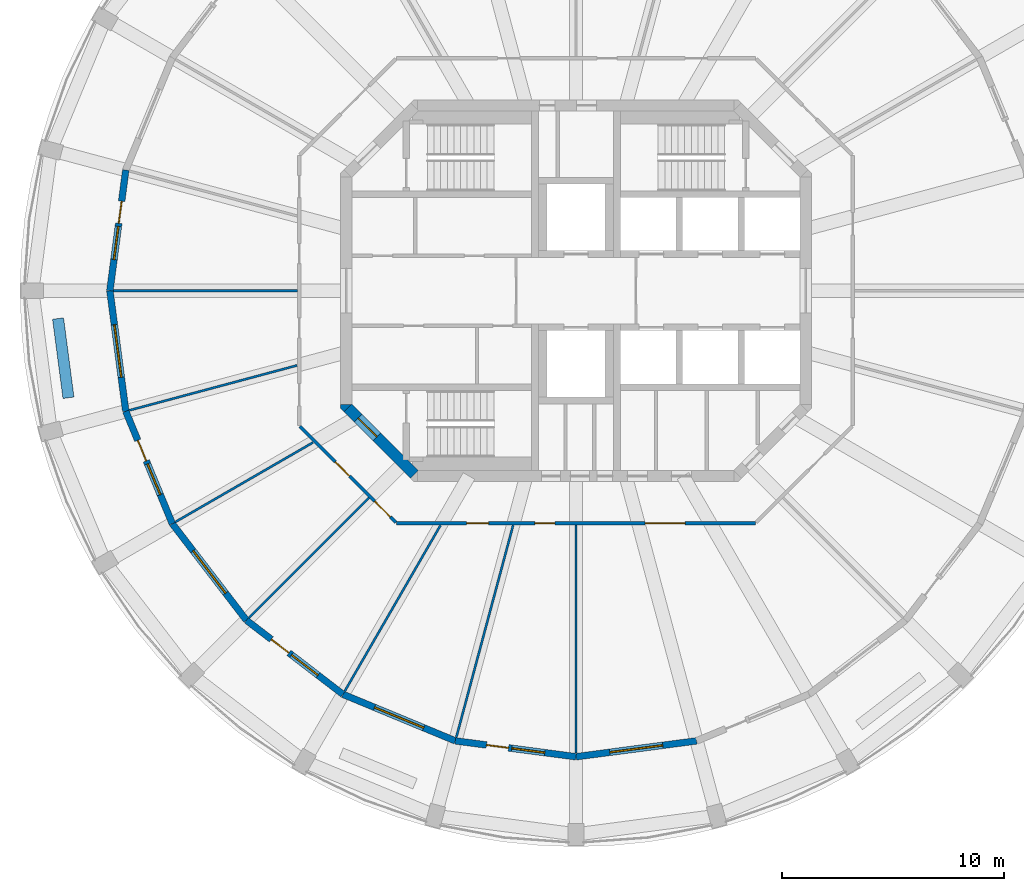
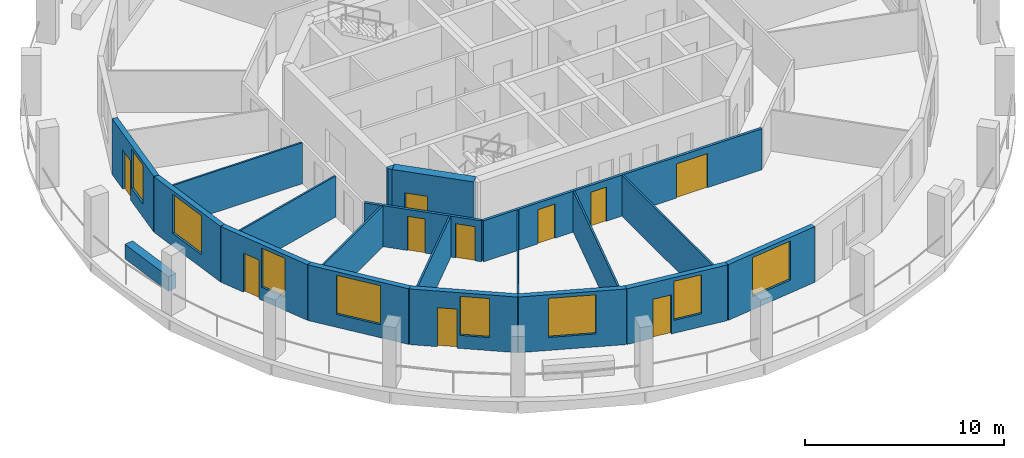
# One storey, part 2 of 9: 20 walls, 10 doors, 8 windows, 18 openings.
"""IFC4 building model written with IfcOpenShell, lengths in metres."""

from ifc_helpers import new_model, si_unit, direction, frame, frame_2d, origin, place, context, subcontext, project, spatial, polyline, rectangle, outline, extrude, material, layer, layer_set, type_object, element, fill, save


model = new_model("IFC4")

# Units and contexts
model_context = context("Model", 3, precision=1e-05, world=origin(), true_north=direction((0.0, 1.0)))
body_context = subcontext(model_context, "Body", "Model", "MODEL_VIEW")
ifc_project = project(units=[si_unit("LENGTHUNIT", "METRE"), si_unit("AREAUNIT", "SQUARE_METRE"), si_unit("VOLUMEUNIT", "CUBIC_METRE"), si_unit("PLANEANGLEUNIT", "RADIAN"), si_unit("MASSUNIT", "GRAM", prefix="KILO")], contexts=[model_context])

# Site, building, storey
site_placement = place(None, origin())
site = spatial("IfcSite", under=ifc_project, at=site_placement, CompositionType="ELEMENT")
building_placement = place(site_placement, origin())
building = spatial("IfcBuilding", under=site, at=building_placement, Name="Torre Triforio", CompositionType="ELEMENT")
storey_placement = place(building_placement, frame((0.0, 0.0, 272.300048828125)))
storey = spatial("IfcBuildingStorey", under=building, at=storey_placement, Name="L63", CompositionType="ELEMENT", Elevation=272.300048828125)

# Wall, opening, door
ifc_material_1 = material(Name="Concrete C40", Category="concrete")
ifc_layer_1 = layer(ifc_material_1, 0.5)
ifc_layer_set_1 = layer_set([ifc_layer_1], Name="Concrete C40")
wall_type_1 = type_object("IfcWallType", Name="Core wall 500 mm C40 EI 120", PredefinedType="SHEAR", material=ifc_layer_set_1)
wall_1_placement = place(storey_placement, frame((-7.27685546875, -8.27685546875, -0.280029296875), z_axis=(0.0, 0.0, 1.0), x_axis=(-0.707106781187, 0.707106781187, 0.0)))
wall_1 = element("IfcWall", 1, at=wall_1_placement, inside=storey, type_object=wall_type_1, Name="Core wall", PredefinedType="SHEAR", context=body_context, shape_type="SweptSolid", body=[
    extrude(rectangle(XDim=4.24267578125, YDim=0.5, at=frame_2d((2.121337890625, 0.0))), origin(), (0.0, 0.0, 1.0), 3.699951171875),
])
opening_1_placement = place(wall_1_placement, frame((2.392578125, 0.0, 0.280029296875)))
opening_1 = element("IfcOpeningElement", 2, at=opening_1_placement, cuts=wall_1, Name="Opening ST3-EXIT", PredefinedType="OPENING", context=body_context, shape_type="SweptSolid", body=[
    extrude(rectangle(XDim=1.199951171875, YDim=2.10009765625, at=frame_2d((0.60009765625, 1.050048828125))), frame((0.0, 0.260009765625, 0.0), z_axis=(0.0, -1.0, 0.0), x_axis=(1.0, 0.0, 0.0)), (0.0, 0.0, 1.0), 0.52001953125),
])
ifc_material_2 = material(Name="Hollow metal fire door leaf")
door_type_1 = type_object("IfcDoorType", Name="Stair lobby door 1200 x 2100 EI 60", OperationType="NOTDEFINED", PredefinedType="DOOR", material=ifc_material_2)
door_1_placement = place(opening_1_placement, origin())
door_1 = element("IfcDoor", 3, at=door_1_placement, inside=storey, type_object=door_type_1, Name="Core door ST3-EXIT", OperationType="SINGLE_SWING_RIGHT", OverallHeight=2.10009765625, OverallWidth=1.199951171875, PredefinedType="DOOR", context=body_context, shape_type="SweptSolid", body=[
    extrude(rectangle(XDim=1.199951171875, YDim=2.10009765625, at=frame_2d((0.60009765625, 1.050048828125))), frame((0.0, 0.02490234375, 0.0), z_axis=(0.0, -1.0, 0.0), x_axis=(1.0, 0.0, 0.0)), (0.0, 0.0, 1.0), 0.050048828125),
])
fill(opening_1, door_1)

# Wall
wall_2_placement = place(storey_placement, frame((0.0, 0.0, -0.280029296875)))
element("IfcWall", 4, at=wall_2_placement, inside=storey, type_object=wall_type_1, Name="Core wall", PredefinedType="SHEAR", context=body_context, shape_type="SweptSolid", body=[
    extrude(outline(polyline([(-10.60009765625, -5.30712890625), (-10.60009765625, -5.1298828125), (-10.1298828125, -5.1298828125), (-10.45361328125, -5.45361328125), (-10.60009765625, -5.30712890625)])), origin(), (0.0, 0.0, 1.0), 3.699951171875),
])

# Wall, openings, doors
ifc_material_3 = material(Name="Plasterboard on metal studs")
ifc_layer_2 = layer(ifc_material_3, 0.14990234375)
ifc_layer_set_2 = layer_set([ifc_layer_2], Name="Plasterboard on metal studs")
wall_type_2 = type_object("IfcWallType", Name="Corridor and tenancy wall 150 mm EI 60", PredefinedType="PARTITIONING", material=ifc_layer_set_2)
wall_3_placement = place(storey_placement, frame((8.083740234375, -10.47509765625, 0.0), z_axis=(0.0, 0.0, 1.0), x_axis=(-1.0, 0.0, 0.0)))
wall_3 = element("IfcWall", 5, at=wall_3_placement, inside=storey, type_object=wall_type_2, Name="Partition 2", PredefinedType="PARTITIONING", context=body_context, shape_type="SweptSolid", body=[
    extrude(rectangle(XDim=16.16748046875, YDim=0.14990234375, at=frame_2d((8.083740234375, 0.0))), origin(), (0.0, 0.0, 1.0), 2.52001953125),
])
opening_2_placement = place(wall_3_placement, frame((12.014892578125, 0.0, 0.0)))
opening_2 = element("IfcOpeningElement", 6, at=opening_2_placement, cuts=wall_3, Name="Opening E2-02", PredefinedType="OPENING", context=body_context, shape_type="SweptSolid", body=[
    extrude(rectangle(XDim=1.0, YDim=2.10009765625, at=frame_2d((0.5, 1.050048828125))), frame((0.0, 0.0849609375, 0.0), z_axis=(0.0, -1.0, 0.0), x_axis=(1.0, 0.0, 0.0)), (0.0, 0.0, 1.0), 0.169921875),
])
opening_3_placement = place(wall_3_placement, frame((9.0380859375, 0.0, 0.0)))
opening_3 = element("IfcOpeningElement", 7, at=opening_3_placement, cuts=wall_3, Name="Opening E2-03", PredefinedType="OPENING", context=body_context, shape_type="SweptSolid", body=[
    extrude(rectangle(XDim=0.89990234375, YDim=2.10009765625, at=frame_2d((0.449951171875, 1.050048828125))), frame((0.0, 0.0849609375, 0.0), z_axis=(0.0, -1.0, 0.0), x_axis=(1.0, 0.0, 0.0)), (0.0, 0.0, 1.0), 0.169921875),
])
opening_4_placement = place(wall_3_placement, frame((3.1669921875, 0.0, 0.0)))
opening_4 = element("IfcOpeningElement", 8, at=opening_4_placement, cuts=wall_3, Name="Opening E2-04", PredefinedType="OPENING", context=body_context, shape_type="SweptSolid", body=[
    extrude(rectangle(XDim=1.800048828125, YDim=2.10009765625, at=frame_2d((0.89990234375, 1.050048828125))), frame((0.0, 0.0849609375, 0.0), z_axis=(0.0, -1.0, 0.0), x_axis=(1.0, 0.0, 0.0)), (0.0, 0.0, 1.0), 0.169921875),
])
ifc_material_4 = material(Name="Timber", Category="wood")
door_type_2 = type_object("IfcDoorType", Name="Door 1000 x 2100 single leaf EI 30", OperationType="NOTDEFINED", PredefinedType="DOOR", material=ifc_material_4)
door_2_placement = place(opening_2_placement, origin())
door_2 = element("IfcDoor", 9, at=door_2_placement, inside=storey, type_object=door_type_2, Name="Door E2-02", OperationType="SINGLE_SWING_LEFT", OverallHeight=2.10009765625, OverallWidth=1.0, PredefinedType="DOOR", context=body_context, shape_type="SweptSolid", body=[
    extrude(rectangle(XDim=1.0, YDim=2.10009765625, at=frame_2d((0.5, 1.050048828125))), frame((0.0, 0.02490234375, 0.0), z_axis=(0.0, -1.0, 0.0), x_axis=(1.0, 0.0, 0.0)), (0.0, 0.0, 1.0), 0.050048828125),
])
fill(opening_2, door_2)
door_type_3 = type_object("IfcDoorType", Name="Door 1800 x 2100 double leaf EI 30", OperationType="DOUBLE_DOOR_SINGLE_SWING", PredefinedType="DOOR", material=ifc_material_4)
door_3_placement = place(opening_4_placement, origin())
door_3 = element("IfcDoor", 10, at=door_3_placement, inside=storey, type_object=door_type_3, Name="Door E2-04", OperationType="DOUBLE_DOOR_SINGLE_SWING", OverallHeight=2.10009765625, OverallWidth=1.800048828125, PredefinedType="DOOR", context=body_context, shape_type="SweptSolid", body=[
    extrude(rectangle(XDim=1.800048828125, YDim=2.10009765625, at=frame_2d((0.89990234375, 1.050048828125))), frame((0.0, 0.02490234375, 0.0), z_axis=(0.0, -1.0, 0.0), x_axis=(1.0, 0.0, 0.0)), (0.0, 0.0, 1.0), 0.050048828125),
])
fill(opening_4, door_3)
door_type_4 = type_object("IfcDoorType", Name="Door 900 x 2100 single leaf EI 30", OperationType="NOTDEFINED", PredefinedType="DOOR", material=ifc_material_4)
door_4_placement = place(opening_3_placement, origin())
door_4 = element("IfcDoor", 11, at=door_4_placement, inside=storey, type_object=door_type_4, Name="Door E2-03", OperationType="SINGLE_SWING_LEFT", OverallHeight=2.10009765625, OverallWidth=0.89990234375, PredefinedType="DOOR", context=body_context, shape_type="SweptSolid", body=[
    extrude(rectangle(XDim=0.89990234375, YDim=2.10009765625, at=frame_2d((0.449951171875, 1.050048828125))), frame((0.0, 0.02490234375, 0.0), z_axis=(0.0, -1.0, 0.0), x_axis=(1.0, 0.0, 0.0)), (0.0, 0.0, 1.0), 0.050048828125),
])
fill(opening_3, door_4)

wall_4_placement = place(storey_placement, frame((-8.120849609375, -10.43798828125, 0.0), z_axis=(0.0, 0.0, 1.0), x_axis=(-0.707106781187, 0.707106781187, 0.0)))
wall_4 = element("IfcWall", 12, at=wall_4_placement, inside=storey, type_object=wall_type_2, Name="Partition 3", PredefinedType="PARTITIONING", context=body_context, shape_type="SweptSolid", body=[
    extrude(rectangle(XDim=6.10546875, YDim=0.14990234375, at=frame_2d((3.052734375, 0.0))), origin(), (0.0, 0.0, 1.0), 2.52001953125),
])
opening_5_placement = place(wall_4_placement, frame((0.34423828125, 0.0, 0.0)))
opening_5 = element("IfcOpeningElement", 13, at=opening_5_placement, cuts=wall_4, Name="Opening E2-01", PredefinedType="OPENING", context=body_context, shape_type="SweptSolid", body=[
    extrude(rectangle(XDim=1.0, YDim=2.10009765625, at=frame_2d((0.5, 1.050048828125))), frame((0.0, 0.0849609375, 0.0), z_axis=(0.0, -1.0, 0.0), x_axis=(1.0, 0.0, 0.0)), (0.0, 0.0, 1.0), 0.169921875),
])
opening_6_placement = place(wall_4_placement, frame((2.947509765625, 0.0, 0.0)))
opening_6 = element("IfcOpeningElement", 14, at=opening_6_placement, cuts=wall_4, Name="Opening E2-17", PredefinedType="OPENING", context=body_context, shape_type="SweptSolid", body=[
    extrude(rectangle(XDim=0.89990234375, YDim=2.10009765625, at=frame_2d((0.449951171875, 1.050048828125))), frame((0.0, 0.0849609375, 0.0), z_axis=(0.0, -1.0, 0.0), x_axis=(1.0, 0.0, 0.0)), (0.0, 0.0, 1.0), 0.169921875),
])
door_5_placement = place(opening_5_placement, origin())
door_5 = element("IfcDoor", 15, at=door_5_placement, inside=storey, type_object=door_type_2, Name="Door E2-01", OperationType="SINGLE_SWING_LEFT", OverallHeight=2.10009765625, OverallWidth=1.0, PredefinedType="DOOR", context=body_context, shape_type="SweptSolid", body=[
    extrude(rectangle(XDim=1.0, YDim=2.10009765625, at=frame_2d((0.5, 1.050048828125))), frame((0.0, 0.02490234375, 0.0), z_axis=(0.0, -1.0, 0.0), x_axis=(1.0, 0.0, 0.0)), (0.0, 0.0, 1.0), 0.050048828125),
])
fill(opening_5, door_5)
door_6_placement = place(opening_6_placement, origin())
door_6 = element("IfcDoor", 16, at=door_6_placement, inside=storey, type_object=door_type_4, Name="Door E2-17", OperationType="SINGLE_SWING_LEFT", OverallHeight=2.10009765625, OverallWidth=0.89990234375, PredefinedType="DOOR", context=body_context, shape_type="SweptSolid", body=[
    extrude(rectangle(XDim=0.89990234375, YDim=2.10009765625, at=frame_2d((0.449951171875, 1.050048828125))), frame((0.0, 0.02490234375, 0.0), z_axis=(0.0, -1.0, 0.0), x_axis=(1.0, 0.0, 0.0)), (0.0, 0.0, 1.0), 0.050048828125),
])
fill(opening_6, door_6)

# Walls
ifc_layer_3 = layer(ifc_material_3, 0.10009765625)
ifc_layer_set_3 = layer_set([ifc_layer_3], Name="Plasterboard on metal studs")
wall_type_3 = type_object("IfcWallType", Name="Partition 100 mm board on metal studs", PredefinedType="PARTITIONING", material=ifc_layer_set_3)
wall_5_placement = place(storey_placement, frame((-12.550048828125, 0.0, 0.0), z_axis=(0.0, 0.0, 1.0), x_axis=(-1.0, 0.0, 0.0)))
element("IfcWall", 17, at=wall_5_placement, inside=storey, type_object=wall_type_3, Name="Partition 17", PredefinedType="PARTITIONING", context=body_context, shape_type="SweptSolid", body=[
    extrude(rectangle(XDim=8.28662109375, YDim=0.10009765625, at=frame_2d((4.143310546875, 0.0))), origin(), (0.0, 0.0, 1.0), 2.52001953125),
])
wall_6_placement = place(storey_placement, frame((-12.564208984375, -3.36669921875, 0.0), z_axis=(0.0, 0.0, 1.0), x_axis=(-0.965933576344, -0.258790119773, 0.0)))
element("IfcWall", 18, at=wall_6_placement, inside=storey, type_object=wall_type_3, Name="Partition 18", PredefinedType="PARTITIONING", context=body_context, shape_type="SweptSolid", body=[
    extrude(rectangle(XDim=7.8291015625, YDim=0.10009765625, at=frame_2d((3.91455078125, 0.0))), origin(), (0.0, 0.0, 1.0), 2.52001953125),
])
wall_7_placement = place(storey_placement, frame((-11.845947265625, -6.839111328125, 0.0), z_axis=(0.0, 0.0, 1.0), x_axis=(-0.866011787705, -0.500023583, 0.0)))
element("IfcWall", 19, at=wall_7_placement, inside=storey, type_object=wall_type_3, Name="Partition 19", PredefinedType="PARTITIONING", context=body_context, shape_type="SweptSolid", body=[
    extrude(rectangle(XDim=7.158447265625, YDim=0.10009765625, at=frame_2d((3.5791015625, 0.0))), origin(), (0.0, 0.0, 1.0), 2.52001953125),
])
wall_8_placement = place(storey_placement, frame((-9.33251953125, -9.33251953125, 0.0), z_axis=(0.0, 0.0, 1.0), x_axis=(-0.707106781187, -0.707106781187, 0.0)))
element("IfcWall", 20, at=wall_8_placement, inside=storey, type_object=wall_type_3, Name="Partition 20", PredefinedType="PARTITIONING", context=body_context, shape_type="SweptSolid", body=[
    extrude(rectangle(XDim=7.638671875, YDim=0.10009765625, at=frame_2d((3.8193359375, 0.0))), origin(), (0.0, 0.0, 1.0), 2.52001953125),
])
wall_9_placement = place(storey_placement, frame((-6.105224609375, -10.57470703125, 0.0), z_axis=(0.0, 0.0, 1.0), x_axis=(-0.50001399067, -0.866017326117, 0.0)))
element("IfcWall", 21, at=wall_9_placement, inside=storey, type_object=wall_type_3, Name="Partition 21", PredefinedType="PARTITIONING", context=body_context, shape_type="SweptSolid", body=[
    extrude(rectangle(XDim=8.626220703125, YDim=0.10009765625, at=frame_2d((4.31298828125, 0.0))), origin(), (0.0, 0.0, 1.0), 2.52001953125),
])
wall_10_placement = place(storey_placement, frame((-2.830810546875, -10.564208984375, 0.0), z_axis=(0.0, 0.0, 1.0), x_axis=(-0.258795254151, -0.965932200741, 0.0)))
element("IfcWall", 22, at=wall_10_placement, inside=storey, type_object=wall_type_3, Name="Partition 22", PredefinedType="PARTITIONING", context=body_context, shape_type="SweptSolid", body=[
    extrude(rectangle(XDim=9.899658203125, YDim=0.10009765625, at=frame_2d((4.94970703125, 0.0))), origin(), (0.0, 0.0, 1.0), 2.52001953125),
])
wall_11_placement = place(storey_placement, frame((0.0, -10.550048828125, 0.0), z_axis=(0.0, 0.0, 1.0), x_axis=(0.0, -1.0, 0.0)))
element("IfcWall", 23, at=wall_11_placement, inside=storey, type_object=wall_type_3, Name="Partition 23", PredefinedType="PARTITIONING", context=body_context, shape_type="SweptSolid", body=[
    extrude(rectangle(XDim=10.28662109375, YDim=0.10009765625, at=frame_2d((5.143310546875, 0.0))), origin(), (0.0, 0.0, 1.0), 2.52001953125),
])
ifc_material_5 = material(Name="Limestone cladding", Category="masonry")
ifc_layer_4 = layer(ifc_material_5, 0.10009765625)
ifc_layer_5 = layer(ifc_material_1, 0.39990234375)
ifc_layer_set_4 = layer_set([ifc_layer_4, ifc_layer_5], Name="Limestone cladding / Concrete C40")
wall_type_4 = type_object("IfcWallType", Name="Planter wall 500", PredefinedType="PARAPET", material=ifc_layer_set_4)
wall_12_placement = place(storey_placement, frame((-23.335693359375, -1.256591796875, 0.0), z_axis=(0.0, 0.0, 1.0), x_axis=(0.130542222659, -0.991442750795, 0.0)))
element("IfcWall", 24, at=wall_12_placement, inside=storey, type_object=wall_type_4, Name="Planter L63 bay 13", PredefinedType="PARAPET", context=body_context, shape_type="SweptSolid", body=[
    extrude(rectangle(XDim=3.60009765625, YDim=0.5, at=frame_2d((1.800048828125, 0.0))), origin(), (0.0, 0.0, 1.0), 0.89990234375),
])

# Wall, openings, door, window
ifc_layer_6 = layer(ifc_material_5, 0.10009765625)
ifc_layer_7 = layer(ifc_material_1, 0.199951171875)
ifc_layer_set_5 = layer_set([ifc_layer_6, ifc_layer_7], Name="Limestone cladding / Concrete C40")
wall_type_5 = type_object("IfcWallType", Name="Stone-faced composite wall 300", PredefinedType="STANDARD", material=ifc_layer_set_5)
wall_13_placement = place(storey_placement, frame((-20.284423828125, 5.435302734375, 0.0), z_axis=(0.0, 0.0, 1.0), x_axis=(-0.130527087244, -0.991444743541, 0.0)))
wall_13 = element("IfcWall", 25, at=wall_13_placement, inside=storey, type_object=wall_type_5, Name="External wall L63 bay 12", PredefinedType="STANDARD", context=body_context, shape_type="SweptSolid", body=[
    extrude(rectangle(XDim=5.482177734375, YDim=0.300048828125, at=frame_2d((2.7412109375, 0.0))), origin(), (0.0, 0.0, 1.0), 3.419921875),
])
opening_7_placement = place(wall_13_placement, frame((1.416015625, 0.0, 0.0)))
opening_7 = element("IfcOpeningElement", 26, at=opening_7_placement, cuts=wall_13, Name="Opening E2-D12", PredefinedType="OPENING", context=body_context, shape_type="SweptSolid", body=[
    extrude(rectangle(XDim=1.0, YDim=2.39990234375, at=frame_2d((0.5, 1.199951171875))), frame((0.0, 0.159912109375, 0.0), z_axis=(0.0, -1.0, 0.0), x_axis=(1.0, 0.0, 0.0)), (0.0, 0.0, 1.0), 0.320068359375),
])
opening_8_placement = place(wall_13_placement, frame((2.566162109375, 0.0, 0.800048828125)))
opening_8 = element("IfcOpeningElement", 27, at=opening_8_placement, cuts=wall_13, Name="Opening E2-W12A", PredefinedType="OPENING", context=body_context, shape_type="SweptSolid", body=[
    extrude(rectangle(XDim=1.5, YDim=2.39990234375, at=frame_2d((0.75, 1.199951171875))), frame((0.0, 0.159912109375, 0.0), z_axis=(0.0, -1.0, 0.0), x_axis=(1.0, 0.0, 0.0)), (0.0, 0.0, 1.0), 0.320068359375),
])
ifc_material_6 = material(Name="Aluminium frame with clear double glazing", Category="aluminium")
door_type_5 = type_object("IfcDoorType", Name="Loggia door 1000 x 2400", OperationType="NOTDEFINED", PredefinedType="DOOR", material=ifc_material_6)
door_7_placement = place(opening_7_placement, origin())
door_7 = element("IfcDoor", 28, at=door_7_placement, inside=storey, type_object=door_type_5, Name="Loggia door L63 bay 12", OperationType="SINGLE_SWING_LEFT", OverallHeight=2.39990234375, OverallWidth=1.0, PredefinedType="DOOR", context=body_context, shape_type="SweptSolid", body=[
    extrude(rectangle(XDim=1.0, YDim=2.39990234375, at=frame_2d((0.5, 1.199951171875))), frame((0.0, 0.02490234375, 0.0), z_axis=(0.0, -1.0, 0.0), x_axis=(1.0, 0.0, 0.0)), (0.0, 0.0, 1.0), 0.050048828125),
])
fill(opening_7, door_7)
window_type_1 = type_object("IfcWindowType", Name="Side window 1500 x 2400", PartitioningType="SINGLE_PANEL", PredefinedType="WINDOW", material=ifc_material_6)
window_1_placement = place(opening_8_placement, origin())
window_1 = element("IfcWindow", 29, at=window_1_placement, inside=storey, type_object=window_type_1, Name="Side window EWN14 L63 bay 12", OverallHeight=2.39990234375, OverallWidth=1.5, PartitioningType="SINGLE_PANEL", PredefinedType="WINDOW", context=body_context, shape_type="SweptSolid", body=[
    extrude(rectangle(XDim=1.5, YDim=2.39990234375, at=frame_2d((0.75, 1.199951171875))), frame((0.0, 0.030029296875, 0.0), z_axis=(0.0, -1.0, 0.0), x_axis=(1.0, 0.0, 0.0)), (0.0, 0.0, 1.0), 0.06005859375),
])
fill(opening_8, window_1)

# Wall, opening, window
wall_14_placement = place(storey_placement, frame((-21.0, 0.0, 0.0), z_axis=(0.0, 0.0, 1.0), x_axis=(0.130527087244, -0.991444743541, 0.0)))
wall_14 = element("IfcWall", 30, at=wall_14_placement, inside=storey, type_object=wall_type_5, Name="External wall L63 bay 13", PredefinedType="STANDARD", context=body_context, shape_type="SweptSolid", body=[
    extrude(rectangle(XDim=5.482177734375, YDim=0.300048828125, at=frame_2d((2.7412109375, 0.0))), origin(), (0.0, 0.0, 1.0), 3.419921875),
])
opening_9_placement = place(wall_14_placement, frame((1.541015625, 0.0, 0.800048828125)))
opening_9 = element("IfcOpeningElement", 31, at=opening_9_placement, cuts=wall_14, Name="Opening E2-W13", PredefinedType="OPENING", context=body_context, shape_type="SweptSolid", body=[
    extrude(rectangle(XDim=2.39990234375, YDim=2.39990234375, at=frame_2d((1.199951171875, 1.199951171875))), frame((0.0, 0.159912109375, 0.0), z_axis=(0.0, -1.0, 0.0), x_axis=(1.0, 0.0, 0.0)), (0.0, 0.0, 1.0), 0.320068359375),
])
window_type_2 = type_object("IfcWindowType", Name="Punched window 2400 x 2400", PartitioningType="DOUBLE_PANEL_VERTICAL", PredefinedType="WINDOW", material=ifc_material_6)
window_2_placement = place(opening_9_placement, origin())
window_2 = element("IfcWindow", 32, at=window_2_placement, inside=storey, type_object=window_type_2, Name="Window EWN4 L63 bay 13", OverallHeight=2.39990234375, OverallWidth=2.39990234375, PartitioningType="SINGLE_PANEL", PredefinedType="WINDOW", context=body_context, shape_type="SweptSolid", body=[
    extrude(rectangle(XDim=2.39990234375, YDim=2.39990234375, at=frame_2d((1.199951171875, 1.199951171875))), frame((0.0, 0.030029296875, 0.0), z_axis=(0.0, -1.0, 0.0), x_axis=(1.0, 0.0, 0.0)), (0.0, 0.0, 1.0), 0.06005859375),
])
fill(opening_9, window_2)

# Wall, openings, door, window
wall_15_placement = place(storey_placement, frame((-20.284423828125, -5.435302734375, 0.0), z_axis=(0.0, 0.0, 1.0), x_axis=(0.382688740813, -0.923877333662, 0.0)))
wall_15 = element("IfcWall", 33, at=wall_15_placement, inside=storey, type_object=wall_type_5, Name="External wall L63 bay 14", PredefinedType="STANDARD", context=body_context, shape_type="SweptSolid", body=[
    extrude(rectangle(XDim=5.48193359375, YDim=0.300048828125, at=frame_2d((2.740966796875, 0.0))), origin(), (0.0, 0.0, 1.0), 3.419921875),
])
opening_10_placement = place(wall_15_placement, frame((1.416015625, 0.0, 0.0)))
opening_10 = element("IfcOpeningElement", 34, at=opening_10_placement, cuts=wall_15, Name="Opening E2-D14", PredefinedType="OPENING", context=body_context, shape_type="SweptSolid", body=[
    extrude(rectangle(XDim=1.0, YDim=2.39990234375, at=frame_2d((0.5, 1.199951171875))), frame((0.0, 0.159912109375, 0.0), z_axis=(0.0, -1.0, 0.0), x_axis=(1.0, 0.0, 0.0)), (0.0, 0.0, 1.0), 0.320068359375),
])
opening_11_placement = place(wall_15_placement, frame((2.566162109375, 0.0, 0.800048828125)))
opening_11 = element("IfcOpeningElement", 35, at=opening_11_placement, cuts=wall_15, Name="Opening E2-W14A", PredefinedType="OPENING", context=body_context, shape_type="SweptSolid", body=[
    extrude(rectangle(XDim=1.5, YDim=2.39990234375, at=frame_2d((0.75, 1.199951171875))), frame((0.0, 0.159912109375, 0.0), z_axis=(0.0, -1.0, 0.0), x_axis=(1.0, 0.0, 0.0)), (0.0, 0.0, 1.0), 0.320068359375),
])
door_8_placement = place(opening_10_placement, origin())
door_8 = element("IfcDoor", 36, at=door_8_placement, inside=storey, type_object=door_type_5, Name="Loggia door L63 bay 14", OperationType="SINGLE_SWING_LEFT", OverallHeight=2.39990234375, OverallWidth=1.0, PredefinedType="DOOR", context=body_context, shape_type="SweptSolid", body=[
    extrude(rectangle(XDim=1.0, YDim=2.39990234375, at=frame_2d((0.5, 1.199951171875))), frame((0.0, 0.02490234375, 0.0), z_axis=(0.0, -1.0, 0.0), x_axis=(1.0, 0.0, 0.0)), (0.0, 0.0, 1.0), 0.050048828125),
])
fill(opening_10, door_8)
window_3_placement = place(opening_11_placement, origin())
window_3 = element("IfcWindow", 37, at=window_3_placement, inside=storey, type_object=window_type_1, Name="Side window EWN14 L63 bay 14", OverallHeight=2.39990234375, OverallWidth=1.5, PartitioningType="SINGLE_PANEL", PredefinedType="WINDOW", context=body_context, shape_type="SweptSolid", body=[
    extrude(rectangle(XDim=1.5, YDim=2.39990234375, at=frame_2d((0.75, 1.199951171875))), frame((0.0, 0.030029296875, 0.0), z_axis=(0.0, -1.0, 0.0), x_axis=(1.0, 0.0, 0.0)), (0.0, 0.0, 1.0), 0.06005859375),
])
fill(opening_11, window_3)

# Wall, opening, window
wall_16_placement = place(storey_placement, frame((-18.1865234375, -10.5, 0.0), z_axis=(0.0, 0.0, 1.0), x_axis=(0.608784891166, -0.793335336593, 0.0)))
wall_16 = element("IfcWall", 38, at=wall_16_placement, inside=storey, type_object=wall_type_5, Name="External wall L63 bay 15", PredefinedType="STANDARD", context=body_context, shape_type="SweptSolid", body=[
    extrude(rectangle(XDim=5.482177734375, YDim=0.300048828125, at=frame_2d((2.7412109375, 0.0))), origin(), (0.0, 0.0, 1.0), 3.419921875),
])
opening_12_placement = place(wall_16_placement, frame((1.541015625, 0.0, 0.800048828125)))
opening_12 = element("IfcOpeningElement", 39, at=opening_12_placement, cuts=wall_16, Name="Opening E2-W15", PredefinedType="OPENING", context=body_context, shape_type="SweptSolid", body=[
    extrude(rectangle(XDim=2.39990234375, YDim=2.39990234375, at=frame_2d((1.199951171875, 1.199951171875))), frame((0.0, 0.159912109375, 0.0), z_axis=(0.0, -1.0, 0.0), x_axis=(1.0, 0.0, 0.0)), (0.0, 0.0, 1.0), 0.320068359375),
])
window_4_placement = place(opening_12_placement, origin())
window_4 = element("IfcWindow", 40, at=window_4_placement, inside=storey, type_object=window_type_2, Name="Window EWN4 L63 bay 15", OverallHeight=2.39990234375, OverallWidth=2.39990234375, PartitioningType="SINGLE_PANEL", PredefinedType="WINDOW", context=body_context, shape_type="SweptSolid", body=[
    extrude(rectangle(XDim=2.39990234375, YDim=2.39990234375, at=frame_2d((1.199951171875, 1.199951171875))), frame((0.0, 0.030029296875, 0.0), z_axis=(0.0, -1.0, 0.0), x_axis=(1.0, 0.0, 0.0)), (0.0, 0.0, 1.0), 0.06005859375),
])
fill(opening_12, window_4)

# Wall, openings, door, window
wall_17_placement = place(storey_placement, frame((-14.84912109375, -14.84912109375, 0.0), z_axis=(0.0, 0.0, 1.0), x_axis=(0.793335336593, -0.608784891166, 0.0)))
wall_17 = element("IfcWall", 41, at=wall_17_placement, inside=storey, type_object=wall_type_5, Name="External wall L63 bay 16", PredefinedType="STANDARD", context=body_context, shape_type="SweptSolid", body=[
    extrude(rectangle(XDim=5.482177734375, YDim=0.300048828125, at=frame_2d((2.7412109375, 0.0))), origin(), (0.0, 0.0, 1.0), 3.419921875),
])
opening_13_placement = place(wall_17_placement, frame((1.416015625, 0.0, 0.0)))
opening_13 = element("IfcOpeningElement", 42, at=opening_13_placement, cuts=wall_17, Name="Opening E2-D16", PredefinedType="OPENING", context=body_context, shape_type="SweptSolid", body=[
    extrude(rectangle(XDim=1.0, YDim=2.39990234375, at=frame_2d((0.5, 1.199951171875))), frame((0.0, 0.159912109375, 0.0), z_axis=(0.0, -1.0, 0.0), x_axis=(1.0, 0.0, 0.0)), (0.0, 0.0, 1.0), 0.320068359375),
])
opening_14_placement = place(wall_17_placement, frame((2.56591796875, 0.0, 0.800048828125)))
opening_14 = element("IfcOpeningElement", 43, at=opening_14_placement, cuts=wall_17, Name="Opening E2-W16A", PredefinedType="OPENING", context=body_context, shape_type="SweptSolid", body=[
    extrude(rectangle(XDim=1.5, YDim=2.39990234375, at=frame_2d((0.75, 1.199951171875))), frame((0.0, 0.159912109375, 0.0), z_axis=(0.0, -1.0, 0.0), x_axis=(1.0, 0.0, 0.0)), (0.0, 0.0, 1.0), 0.320068359375),
])
door_9_placement = place(opening_13_placement, origin())
door_9 = element("IfcDoor", 44, at=door_9_placement, inside=storey, type_object=door_type_5, Name="Loggia door L63 bay 16", OperationType="SINGLE_SWING_LEFT", OverallHeight=2.39990234375, OverallWidth=1.0, PredefinedType="DOOR", context=body_context, shape_type="SweptSolid", body=[
    extrude(rectangle(XDim=1.0, YDim=2.39990234375, at=frame_2d((0.5, 1.199951171875))), frame((0.0, 0.02490234375, 0.0), z_axis=(0.0, -1.0, 0.0), x_axis=(1.0, 0.0, 0.0)), (0.0, 0.0, 1.0), 0.050048828125),
])
fill(opening_13, door_9)
window_5_placement = place(opening_14_placement, origin())
window_5 = element("IfcWindow", 45, at=window_5_placement, inside=storey, type_object=window_type_1, Name="Side window EWN14 L63 bay 16", OverallHeight=2.39990234375, OverallWidth=1.5, PartitioningType="SINGLE_PANEL", PredefinedType="WINDOW", context=body_context, shape_type="SweptSolid", body=[
    extrude(rectangle(XDim=1.5, YDim=2.39990234375, at=frame_2d((0.75, 1.199951171875))), frame((0.0, 0.030029296875, 0.0), z_axis=(0.0, -1.0, 0.0), x_axis=(1.0, 0.0, 0.0)), (0.0, 0.0, 1.0), 0.06005859375),
])
fill(opening_14, window_5)

# Wall, opening, window
wall_18_placement = place(storey_placement, frame((-10.5, -18.1865234375, 0.0), z_axis=(0.0, 0.0, 1.0), x_axis=(0.923877333662, -0.382688740813, 0.0)))
wall_18 = element("IfcWall", 46, at=wall_18_placement, inside=storey, type_object=wall_type_5, Name="External wall L63 bay 17", PredefinedType="STANDARD", context=body_context, shape_type="SweptSolid", body=[
    extrude(rectangle(XDim=5.48193359375, YDim=0.300048828125, at=frame_2d((2.740966796875, 0.0))), origin(), (0.0, 0.0, 1.0), 3.419921875),
])
opening_15_placement = place(wall_18_placement, frame((1.541015625, 0.0, 0.800048828125)))
opening_15 = element("IfcOpeningElement", 47, at=opening_15_placement, cuts=wall_18, Name="Opening E2-W17", PredefinedType="OPENING", context=body_context, shape_type="SweptSolid", body=[
    extrude(rectangle(XDim=2.39990234375, YDim=2.39990234375, at=frame_2d((1.199951171875, 1.199951171875))), frame((0.0, 0.159912109375, 0.0), z_axis=(0.0, -1.0, 0.0), x_axis=(1.0, 0.0, 0.0)), (0.0, 0.0, 1.0), 0.320068359375),
])
window_6_placement = place(opening_15_placement, origin())
window_6 = element("IfcWindow", 48, at=window_6_placement, inside=storey, type_object=window_type_2, Name="Window EWN4 L63 bay 17", OverallHeight=2.39990234375, OverallWidth=2.39990234375, PartitioningType="SINGLE_PANEL", PredefinedType="WINDOW", context=body_context, shape_type="SweptSolid", body=[
    extrude(rectangle(XDim=2.39990234375, YDim=2.39990234375, at=frame_2d((1.199951171875, 1.199951171875))), frame((0.0, 0.030029296875, 0.0), z_axis=(0.0, -1.0, 0.0), x_axis=(1.0, 0.0, 0.0)), (0.0, 0.0, 1.0), 0.06005859375),
])
fill(opening_15, window_6)

# Wall, openings, door, window
wall_19_placement = place(storey_placement, frame((-5.435302734375, -20.284423828125, 0.0), z_axis=(0.0, 0.0, 1.0), x_axis=(0.991444743541, -0.130527087244, 0.0)))
wall_19 = element("IfcWall", 49, at=wall_19_placement, inside=storey, type_object=wall_type_5, Name="External wall L63 bay 18", PredefinedType="STANDARD", context=body_context, shape_type="SweptSolid", body=[
    extrude(rectangle(XDim=5.482177734375, YDim=0.300048828125, at=frame_2d((2.7412109375, 0.0))), origin(), (0.0, 0.0, 1.0), 3.419921875),
])
opening_16_placement = place(wall_19_placement, frame((1.416015625, 0.0, 0.0)))
opening_16 = element("IfcOpeningElement", 50, at=opening_16_placement, cuts=wall_19, Name="Opening E2-D18", PredefinedType="OPENING", context=body_context, shape_type="SweptSolid", body=[
    extrude(rectangle(XDim=1.0, YDim=2.39990234375, at=frame_2d((0.5, 1.199951171875))), frame((0.0, 0.159912109375, 0.0), z_axis=(0.0, -1.0, 0.0), x_axis=(1.0, 0.0, 0.0)), (0.0, 0.0, 1.0), 0.320068359375),
])
opening_17_placement = place(wall_19_placement, frame((2.566162109375, 0.0, 0.800048828125)))
opening_17 = element("IfcOpeningElement", 51, at=opening_17_placement, cuts=wall_19, Name="Opening E2-W18A", PredefinedType="OPENING", context=body_context, shape_type="SweptSolid", body=[
    extrude(rectangle(XDim=1.5, YDim=2.39990234375, at=frame_2d((0.75, 1.199951171875))), frame((0.0, 0.159912109375, 0.0), z_axis=(0.0, -1.0, 0.0), x_axis=(1.0, 0.0, 0.0)), (0.0, 0.0, 1.0), 0.320068359375),
])
door_10_placement = place(opening_16_placement, origin())
door_10 = element("IfcDoor", 52, at=door_10_placement, inside=storey, type_object=door_type_5, Name="Loggia door L63 bay 18", OperationType="SINGLE_SWING_LEFT", OverallHeight=2.39990234375, OverallWidth=1.0, PredefinedType="DOOR", context=body_context, shape_type="SweptSolid", body=[
    extrude(rectangle(XDim=1.0, YDim=2.39990234375, at=frame_2d((0.5, 1.199951171875))), frame((0.0, 0.02490234375, 0.0), z_axis=(0.0, -1.0, 0.0), x_axis=(1.0, 0.0, 0.0)), (0.0, 0.0, 1.0), 0.050048828125),
])
fill(opening_16, door_10)
window_7_placement = place(opening_17_placement, origin())
window_7 = element("IfcWindow", 53, at=window_7_placement, inside=storey, type_object=window_type_1, Name="Side window EWN14 L63 bay 18", OverallHeight=2.39990234375, OverallWidth=1.5, PartitioningType="SINGLE_PANEL", PredefinedType="WINDOW", context=body_context, shape_type="SweptSolid", body=[
    extrude(rectangle(XDim=1.5, YDim=2.39990234375, at=frame_2d((0.75, 1.199951171875))), frame((0.0, 0.030029296875, 0.0), z_axis=(0.0, -1.0, 0.0), x_axis=(1.0, 0.0, 0.0)), (0.0, 0.0, 1.0), 0.06005859375),
])
fill(opening_17, window_7)

# Wall, opening, window
wall_20_placement = place(storey_placement, frame((0.0, -21.0, 0.0), z_axis=(0.0, 0.0, 1.0), x_axis=(0.991444743541, 0.130527087244, 0.0)))
wall_20 = element("IfcWall", 54, at=wall_20_placement, inside=storey, type_object=wall_type_5, Name="External wall L63 bay 19", PredefinedType="STANDARD", context=body_context, shape_type="SweptSolid", body=[
    extrude(rectangle(XDim=5.482177734375, YDim=0.300048828125, at=frame_2d((2.7412109375, 0.0))), origin(), (0.0, 0.0, 1.0), 3.419921875),
])
opening_18_placement = place(wall_20_placement, frame((1.541015625, 0.0, 0.800048828125)))
opening_18 = element("IfcOpeningElement", 55, at=opening_18_placement, cuts=wall_20, Name="Opening E2-W19", PredefinedType="OPENING", context=body_context, shape_type="SweptSolid", body=[
    extrude(rectangle(XDim=2.39990234375, YDim=2.39990234375, at=frame_2d((1.199951171875, 1.199951171875))), frame((0.0, 0.159912109375, 0.0), z_axis=(0.0, -1.0, 0.0), x_axis=(1.0, 0.0, 0.0)), (0.0, 0.0, 1.0), 0.320068359375),
])
window_8_placement = place(opening_18_placement, origin())
window_8 = element("IfcWindow", 56, at=window_8_placement, inside=storey, type_object=window_type_2, Name="Window EWN4 L63 bay 19", OverallHeight=2.39990234375, OverallWidth=2.39990234375, PartitioningType="SINGLE_PANEL", PredefinedType="WINDOW", context=body_context, shape_type="SweptSolid", body=[
    extrude(rectangle(XDim=2.39990234375, YDim=2.39990234375, at=frame_2d((1.199951171875, 1.199951171875))), frame((0.0, 0.030029296875, 0.0), z_axis=(0.0, -1.0, 0.0), x_axis=(1.0, 0.0, 0.0)), (0.0, 0.0, 1.0), 0.06005859375),
])
fill(opening_18, window_8)

save(model, "model.ifc")
